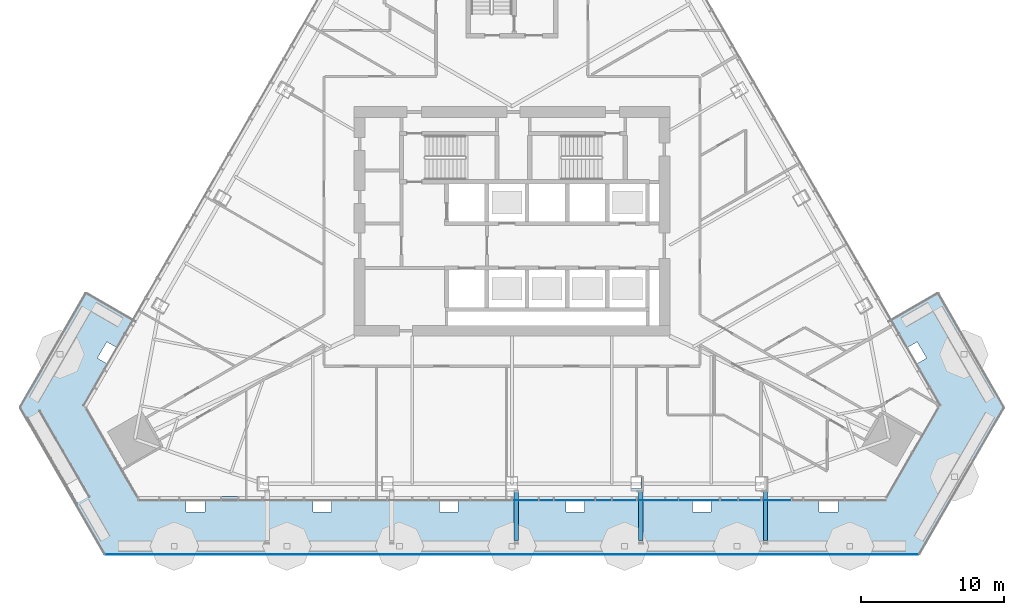
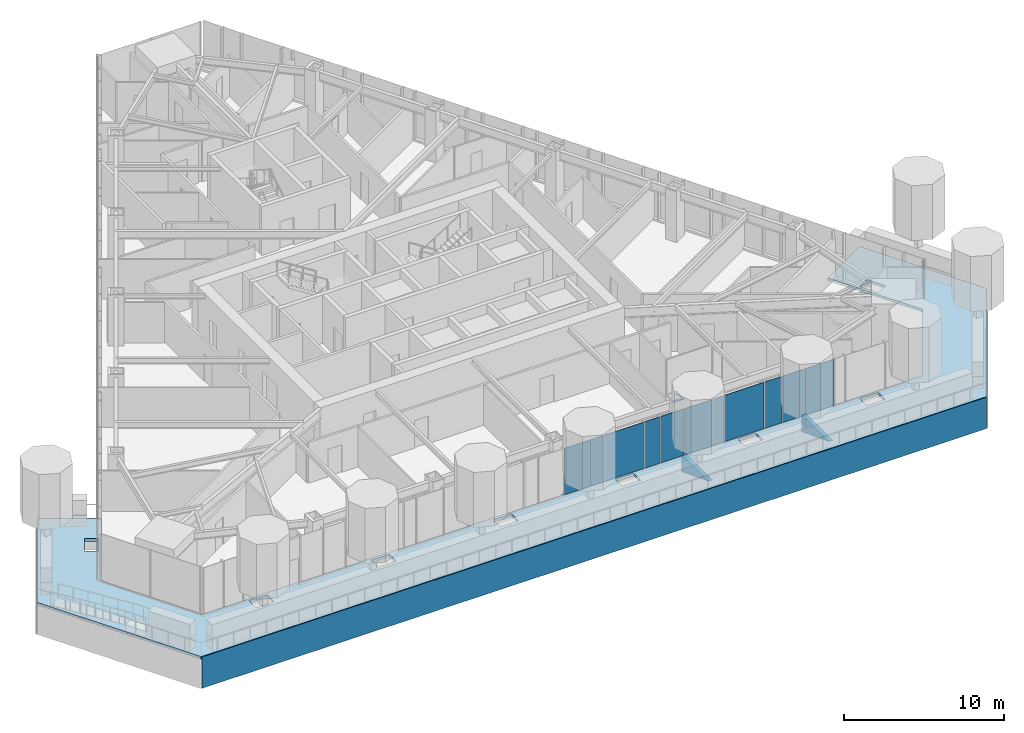
# One storey, part 10 of 24: 16 plates, 1 slab, 1 element without a shape of its own.
"""IFC4 building model written with IfcOpenShell, lengths in metres."""

import ifcopenshell
import ifcopenshell.guid

model = None  # the IFC model being written
_history = None  # IfcOwnerHistory: only IFC2X3 demands one
_inside = {}  # id of a spatial element -> (the spatial element, [elements in it])
_under = {}  # id of a project, library or spatial element -> (it, [spatial elements below it])
_declared = {}  # id of a project -> (the project, [libraries it declares])
_typed = {}  # id of a type object -> (the type object, [elements of that type])
_made_of = {}  # id of a material, layer set ... -> (it, [elements and type objects made of it])


def new_model(schema):
    """Start an empty IFC model of exactly this schema.

    Asked for "IFC4X3", IfcOpenShell would pick the latest addendum, in which some entities
    have other attributes; the version numbers below select the first issue.
    IFC2X3 requires an IfcOwnerHistory on every rooted entity: one is made here for all.
    """
    global model, _history
    if schema == "IFC4X3":
        model = ifcopenshell.file(schema_version=(4, 3, 0, 0))
    else:
        model = ifcopenshell.file(schema=schema)
    _inside.clear()
    _under.clear()
    _declared.clear()
    _typed.clear()
    _made_of.clear()
    _history = None
    if model.schema == "IFC2X3":
        org = make("IfcOrganization", Name="unknown")
        user = make(
            "IfcPersonAndOrganization",
            ThePerson=make("IfcPerson", FamilyName="unknown"),
            TheOrganization=org,
        )
        app = make(
            "IfcApplication",
            ApplicationDeveloper=org,
            Version="unknown",
            ApplicationFullName="unknown",
            ApplicationIdentifier="unknown",
        )
        _history = make(
            "IfcOwnerHistory",
            OwningUser=user,
            OwningApplication=app,
            ChangeAction="ADDED",
            CreationDate=0,
        )
    return model


def make(cls, **values):
    """One entity of the class cls with the attributes given. An attribute that is None is left unset."""
    return model.create_entity(
        cls, **{name: value for name, value in values.items() if value is not None}
    )


def rooted(cls, **values):
    """An entity with a GlobalId (a new one), such as an element, a storey or a relation."""
    return make(cls, GlobalId=ifcopenshell.guid.new(), OwnerHistory=_history, **values)


def si_unit(unit_type, name, prefix=None):
    """IfcSIUnit, for example si_unit("LENGTHUNIT", "METRE", prefix="MILLI")."""
    return make("IfcSIUnit", UnitType=unit_type, Prefix=prefix, Name=name)


def assignment(units):
    """IfcUnitAssignment: the units of a project."""
    return None if units is None else make("IfcUnitAssignment", Units=units)


def point(xyz):
    """IfcCartesianPoint."""
    return None if xyz is None else make("IfcCartesianPoint", Coordinates=xyz)


def direction(xyz):
    """IfcDirection."""
    return None if xyz is None else make("IfcDirection", DirectionRatios=xyz)


def frame(location, z_axis=None, x_axis=None):
    """IfcAxis2Placement3D, a coordinate frame: its origin and axes. An axis left out is left unset."""
    return make(
        "IfcAxis2Placement3D",
        Location=point(location),
        Axis=direction(z_axis),
        RefDirection=direction(x_axis),
    )


def origin():
    """The frame at (0, 0, 0) with its axes left unset."""
    return frame((0.0, 0.0, 0.0))


def place(relative_to, where):
    """IfcLocalPlacement: puts the frame where relative to a parent placement (None: the world)."""
    return make(
        "IfcLocalPlacement", PlacementRelTo=relative_to, RelativePlacement=where
    )


def context(
    kind, dimensions, precision=None, world=None, true_north=None, identifier=None
):
    """IfcGeometricRepresentationContext, for example the 3D "Model" context."""
    return make(
        "IfcGeometricRepresentationContext",
        ContextIdentifier=identifier,
        ContextType=kind,
        CoordinateSpaceDimension=dimensions,
        Precision=precision,
        WorldCoordinateSystem=world,
        TrueNorth=true_north,
    )


def subcontext(parent, identifier, kind, view, scale=None):
    """IfcGeometricRepresentationSubContext, for example "Body" below "Model"."""
    return make(
        "IfcGeometricRepresentationSubContext",
        ContextIdentifier=identifier,
        ContextType=kind,
        ParentContext=parent,
        TargetScale=scale,
        TargetView=view,
    )


def project(units=None, contexts=None):
    """IfcProject with its units and contexts."""
    return rooted(
        "IfcProject",
        Name="project",
        RepresentationContexts=contexts,
        UnitsInContext=assignment(units),
    )


def spatial(cls, under=None, at=None, **own):
    """A site, building, storey or space (cls), placed at a placement, below another one or the project."""
    s = rooted(cls, ObjectPlacement=at, **own)
    if under is not None:
        _under.setdefault(under.id(), (under, []))[1].append(s)
    return s


def polyline(points):
    """IfcPolyline through the points."""
    return make("IfcPolyline", Points=[point(p) for p in points])


def outline(outer, holes=None, kind="AREA"):
    """IfcArbitraryClosedProfileDef: a profile drawn as a closed curve; with holes, ...WithVoids."""
    if holes is None:
        return make("IfcArbitraryClosedProfileDef", ProfileType=kind, OuterCurve=outer)
    return make(
        "IfcArbitraryProfileDefWithVoids",
        ProfileType=kind,
        OuterCurve=outer,
        InnerCurves=holes,
    )


def extrude(swept, where, along, depth):
    """IfcExtrudedAreaSolid: the profile swept, set in the frame where, extruded along a direction by depth."""
    return make(
        "IfcExtrudedAreaSolid",
        SweptArea=swept,
        Position=where,
        ExtrudedDirection=direction(along),
        Depth=depth,
    )


def shape(context_of_items, identifier, shape_type, items):
    """IfcShapeRepresentation: the items that make up one representation, for example the "Body"."""
    return make(
        "IfcShapeRepresentation",
        ContextOfItems=context_of_items,
        RepresentationIdentifier=identifier,
        RepresentationType=shape_type,
        Items=items,
    )


def material(Name=None, Category=None):
    """IfcMaterial."""
    return make("IfcMaterial", Name=Name, Category=Category)


def layer(
    of_material, thickness, ventilated=None, Name=None, Category=None, Priority=None
):
    """IfcMaterialLayer: one layer of a wall or slab, of a material (None: an air gap)."""
    return make(
        "IfcMaterialLayer",
        Material=of_material,
        LayerThickness=thickness,
        IsVentilated=ventilated,
        Name=Name,
        Category=Category,
        Priority=Priority,
    )


def layer_set(layers, Name=None):
    """IfcMaterialLayerSet."""
    return make("IfcMaterialLayerSet", MaterialLayers=layers, LayerSetName=Name)


def made_of(thing, what):
    """Note that an element or type object is made of a material, layer set ...; save() writes the relation."""
    if what is not None:
        _made_of.setdefault(what.id(), (what, []))[1].append(thing)
    return thing


def type_object(cls, material=None, **own):
    """A type object (cls), such as IfcWallType, which elements share."""
    return made_of(rooted(cls, **own), material)


def element(
    cls,
    number,
    at=None,
    inside=None,
    cuts=None,
    type_object=None,
    material=None,
    context=None,
    identifier="Body",
    shape_type=None,
    held_by="IfcProductDefinitionShape",
    body=None,
    shapes=None,
    **own,
):
    """One element of the class cls, such as IfcWall. Its Tag is "e" and its number.

    at: its placement. inside: the storey or other place that contains it. cuts: it is an
    opening in that element (IfcRelVoidsElement). A single representation is given by context,
    identifier, shape_type and body (its items); several are given by shapes. held_by: the class
    of the entity that holds the representations. save() writes the other relations.
    """
    e = rooted(cls, Tag="e%d" % number, ObjectPlacement=at, **own)
    if body is not None:
        shapes = [shape(context, identifier, shape_type, body)]
    if shapes is not None:
        e.Representation = make(held_by, Representations=shapes)
    if inside is not None:
        _inside.setdefault(inside.id(), (inside, []))[1].append(e)
    if cuts is not None:
        rooted(
            "IfcRelVoidsElement", RelatingBuildingElement=cuts, RelatedOpeningElement=e
        )
    if type_object is not None:
        _typed.setdefault(type_object.id(), (type_object, []))[1].append(e)
    return made_of(e, material)


def aggregate(whole, parts):
    """IfcRelAggregates: a whole, such as a stair, and the parts it consists of."""
    return rooted("IfcRelAggregates", RelatingObject=whole, RelatedObjects=parts)


def save(model, path):
    """Write the relations noted so far, then the file.

    IfcRelAggregates (storeys below a building ...), IfcRelContainedInSpatialStructure (elements
    in a storey), IfcRelDefinesByType, IfcRelAssociatesMaterial and IfcRelDeclares: one each for
    every whole, place, type object, material and project.
    """
    for whole, parts in _under.values():
        aggregate(whole, parts)
    for where, things in _inside.values():
        rooted(
            "IfcRelContainedInSpatialStructure",
            RelatedElements=things,
            RelatingStructure=where,
        )
    for kind, things in _typed.values():
        rooted("IfcRelDefinesByType", RelatedObjects=things, RelatingType=kind)
    for what, things in _made_of.values():
        rooted("IfcRelAssociatesMaterial", RelatedObjects=things, RelatingMaterial=what)
    for by, libraries in _declared.values():
        rooted("IfcRelDeclares", RelatingContext=by, RelatedDefinitions=libraries)
    model.write(path)


model = new_model("IFC4")

# Units and contexts
model_context = context("Model", 3, precision=1e-05, world=origin(), true_north=direction((0.0, 1.0)))
body_context = subcontext(model_context, "Body", "Model", "MODEL_VIEW")
ifc_project = project(units=[si_unit("LENGTHUNIT", "METRE"), si_unit("AREAUNIT", "SQUARE_METRE"), si_unit("VOLUMEUNIT", "CUBIC_METRE"), si_unit("PLANEANGLEUNIT", "RADIAN"), si_unit("MASSUNIT", "GRAM", prefix="KILO")], contexts=[model_context])

# Site, building, storey
site_placement = place(None, origin())
site = spatial("IfcSite", under=ifc_project, at=site_placement, CompositionType="ELEMENT")
building_placement = place(site_placement, origin())
building = spatial("IfcBuilding", under=site, at=building_placement, Name="Firuza Gate Tower and Library", CompositionType="ELEMENT")
storey_placement = place(building_placement, frame((0.0, 0.0, 194.800048828125)))
storey = spatial("IfcBuildingStorey", under=building, at=storey_placement, Name="L45", CompositionType="ELEMENT", Elevation=194.800048828125)

# Plate
ifc_material_1 = material(Name="Steel S355", Category="steel")
ifc_layer_1 = layer(ifc_material_1, 0.030029296875)
ifc_layer_set_1 = layer_set([ifc_layer_1], Name="Column infill plate 30 Steel S355")
plate_type_1 = type_object("IfcPlateType", Name="Column infill plate 30 Steel S355", PredefinedType="SHEET", material=ifc_layer_set_1)
plate_1_placement = place(storey_placement, frame((0.0, 0.0, 3.89990234375)))
element("IfcPlate", 1, at=plate_1_placement, inside=storey, type_object=plate_type_1, Name="Infill plate L45:S4", PredefinedType="SHEET", context=body_context, shape_type="SweptSolid", body=[
    extrude(outline(polyline([(84.085693359375, 57.198974609375), (83.99365234375, 57.198974609375), (83.99365234375, 56.3583984375), (83.285888671875, 56.3583984375), (83.285888671875, 56.198974609375), (84.085693359375, 56.198974609375), (84.085693359375, 57.198974609375)])), origin(), (0.0, 0.0, 1.0), 0.030029296875),
])

# Curtain wall, plates
ifc_material_2 = material(Name="Aluminium 6063-T6", Category="aluminium")
ifc_layer_2 = layer(ifc_material_2, 0.14990234375)
ifc_layer_set_2 = layer_set([ifc_layer_2], Name="Unitised curtain wall, hotel")
curtain_wall_type = type_object("IfcCurtainWallType", Name="Unitised curtain wall, hotel", PredefinedType="NOTDEFINED", material=ifc_layer_set_2)
curtain_wall_placement = place(storey_placement, origin())
curtain_wall = element("IfcCurtainWall", 2, at=curtain_wall_placement, inside=storey, type_object=curtain_wall_type, Name="CW2 L45 S face", PredefinedType="NOTDEFINED")
ifc_material_3 = material(Name="Fritted glass", Category="glass")
ifc_layer_3 = layer(ifc_material_3, 0.030029296875)
ifc_layer_set_3 = layer_set([ifc_layer_3], Name="Fritted glass unit, hotel")
plate_type_2 = type_object("IfcPlateType", Name="Fritted glass unit, hotel", PredefinedType="CURTAIN_PANEL", material=ifc_layer_set_3)
plate_2_placement = place(storey_placement, frame((75.0400390625, 55.538818359375, 0.14990234375), z_axis=(0.0, -1.0, 0.0), x_axis=(1.0, 0.0, 0.0)))
plate_2 = element("IfcPlate", 3, at=plate_2_placement, type_object=plate_type_2, Name="Glass unit", PredefinedType="CURTAIN_PANEL", context=body_context, shape_type="SweptSolid", body=[
    extrude(outline(polyline([(0.0, 0.0), (1.7919921875, 0.0), (1.7919921875, 3.550048828125), (0.0, 3.550048828125), (0.0, 0.0)])), origin(), (0.0, 0.0, -1.0), 0.030029296875),
])
plate_3_placement = place(storey_placement, frame((81.991943359375, 55.538818359375, 0.14990234375), z_axis=(0.0, -1.0, 0.0), x_axis=(1.0, 0.0, 0.0)))
plate_3 = element("IfcPlate", 4, at=plate_3_placement, type_object=plate_type_2, Name="Glass unit", PredefinedType="CURTAIN_PANEL", context=body_context, shape_type="SweptSolid", body=[
    extrude(outline(polyline([(0.0, 0.0), (1.668212890625, 0.0), (1.668212890625, 3.550048828125), (0.0, 3.550048828125), (0.0, 0.0)])), origin(), (0.0, 0.0, -1.0), 0.030029296875),
])
plate_4_placement = place(storey_placement, frame((83.740234375, 55.538818359375, 0.14990234375), z_axis=(0.0, -1.0, 0.0), x_axis=(1.0, 0.0, 0.0)))
plate_4 = element("IfcPlate", 5, at=plate_4_placement, type_object=plate_type_2, Name="Glass unit", PredefinedType="CURTAIN_PANEL", context=body_context, shape_type="SweptSolid", body=[
    extrude(outline(polyline([(0.0, 0.0), (1.91552734375, 0.0), (1.91552734375, 3.550048828125), (0.0, 3.550048828125), (0.0, 0.0)])), origin(), (0.0, 0.0, -1.0), 0.030029296875),
])
plate_5_placement = place(storey_placement, frame((90.815673828125, 55.538818359375, 0.14990234375), z_axis=(0.0, -1.0, 0.0), x_axis=(1.0, 0.0, 0.0)))
plate_5 = element("IfcPlate", 6, at=plate_5_placement, type_object=plate_type_2, Name="Glass unit", PredefinedType="CURTAIN_PANEL", context=body_context, shape_type="SweptSolid", body=[
    extrude(outline(polyline([(0.0, 0.0), (1.544677734375, 0.0), (1.544677734375, 3.550048828125), (0.0, 3.550048828125), (0.0, 0.0)])), origin(), (0.0, 0.0, -1.0), 0.030029296875),
])
plate_6_placement = place(storey_placement, frame((92.4404296875, 55.538818359375, 0.14990234375), z_axis=(0.0, -1.0, 0.0), x_axis=(1.0, 0.0, 0.0)))
plate_6 = element("IfcPlate", 7, at=plate_6_placement, type_object=plate_type_2, Name="Glass unit", PredefinedType="CURTAIN_PANEL", context=body_context, shape_type="SweptSolid", body=[
    extrude(outline(polyline([(0.0, 0.0), (2.039306640625, 0.0), (2.039306640625, 3.550048828125), (0.0, 3.550048828125), (0.0, 0.0)])), origin(), (0.0, 0.0, -1.0), 0.030029296875),
])
ifc_material_4 = material(Name="Glazed ceramic tile")
ifc_layer_4 = layer(ifc_material_4, 0.030029296875)
ifc_layer_set_4 = layer_set([ifc_layer_4], Name="Opaque ceramic panel, hotel")
plate_type_3 = type_object("IfcPlateType", Name="Opaque ceramic panel, hotel", PredefinedType="CURTAIN_PANEL", material=ifc_layer_set_4)
plate_7_placement = place(storey_placement, frame((76.911865234375, 55.538818359375, 0.14990234375), z_axis=(0.0, -1.0, 0.0), x_axis=(1.0, 0.0, 0.0)))
plate_7 = element("IfcPlate", 8, at=plate_7_placement, type_object=plate_type_3, Name="Opaque ceramic panel", PredefinedType="CURTAIN_PANEL", context=body_context, shape_type="SweptSolid", body=[
    extrude(outline(polyline([(0.0, 0.0), (0.9482421875, 0.0), (0.9482421875, 3.550048828125), (0.0, 3.550048828125), (0.0, 0.0)])), origin(), (0.0, 0.0, -1.0), 0.030029296875),
])
plate_8_placement = place(storey_placement, frame((77.940185546875, 55.538818359375, 0.14990234375), z_axis=(0.0, -1.0, 0.0), x_axis=(1.0, 0.0, 0.0)))
plate_8 = element("IfcPlate", 9, at=plate_8_placement, type_object=plate_type_3, Name="Opaque ceramic panel", PredefinedType="CURTAIN_PANEL", context=body_context, shape_type="SweptSolid", body=[
    extrude(outline(polyline([(0.0, 0.0), (2.820068359375, 0.0), (2.820068359375, 3.550048828125), (0.0, 3.550048828125), (0.0, 0.0)])), origin(), (0.0, 0.0, -1.0), 0.030029296875),
])
plate_9_placement = place(storey_placement, frame((80.840087890625, 55.538818359375, 0.14990234375), z_axis=(0.0, -1.0, 0.0), x_axis=(1.0, 0.0, 0.0)))
plate_9 = element("IfcPlate", 10, at=plate_9_placement, type_object=plate_type_3, Name="Opaque ceramic panel", PredefinedType="CURTAIN_PANEL", context=body_context, shape_type="SweptSolid", body=[
    extrude(outline(polyline([(0.0, 0.0), (1.07177734375, 0.0), (1.07177734375, 3.550048828125), (0.0, 3.550048828125), (0.0, 0.0)])), origin(), (0.0, 0.0, -1.0), 0.030029296875),
])
plate_10_placement = place(storey_placement, frame((85.73583984375, 55.538818359375, 0.14990234375), z_axis=(0.0, -1.0, 0.0), x_axis=(1.0, 0.0, 0.0)))
plate_10 = element("IfcPlate", 11, at=plate_10_placement, type_object=plate_type_3, Name="Opaque ceramic panel", PredefinedType="CURTAIN_PANEL", context=body_context, shape_type="SweptSolid", body=[
    extrude(outline(polyline([(0.0, 0.0), (0.824462890625, 0.0), (0.824462890625, 3.550048828125), (0.0, 3.550048828125), (0.0, 0.0)])), origin(), (0.0, 0.0, -1.0), 0.030029296875),
])
plate_11_placement = place(storey_placement, frame((86.640380859375, 55.538818359375, 0.14990234375), z_axis=(0.0, -1.0, 0.0), x_axis=(1.0, 0.0, 0.0)))
plate_11 = element("IfcPlate", 12, at=plate_11_placement, type_object=plate_type_3, Name="Opaque ceramic panel", PredefinedType="CURTAIN_PANEL", context=body_context, shape_type="SweptSolid", body=[
    extrude(outline(polyline([(0.0, 0.0), (2.820068359375, 0.0), (2.820068359375, 3.550048828125), (0.0, 3.550048828125), (0.0, 0.0)])), origin(), (0.0, 0.0, -1.0), 0.030029296875),
])
plate_12_placement = place(storey_placement, frame((89.540283203125, 55.538818359375, 0.14990234375), z_axis=(0.0, -1.0, 0.0), x_axis=(1.0, 0.0, 0.0)))
plate_12 = element("IfcPlate", 13, at=plate_12_placement, type_object=plate_type_3, Name="Opaque ceramic panel", PredefinedType="CURTAIN_PANEL", context=body_context, shape_type="SweptSolid", body=[
    extrude(outline(polyline([(0.0, 0.0), (1.195556640625, 0.0), (1.195556640625, 3.550048828125), (0.0, 3.550048828125), (0.0, 0.0)])), origin(), (0.0, 0.0, -1.0), 0.030029296875),
])
aggregate(curtain_wall, [plate_2, plate_7, plate_8, plate_9, plate_3, plate_4, plate_10, plate_11, plate_12, plate_5, plate_6])

# Slab
ifc_material_5 = material(Name="Concrete C40/50", Category="concrete")
ifc_layer_5 = layer(ifc_material_5, 0.199951171875)
ifc_layer_set_5 = layer_set([ifc_layer_5], Name="Planter tray slab 200 C40/50")
slab_type = type_object("IfcSlabType", Name="Planter tray slab 200 C40/50", PredefinedType="FLOOR", material=ifc_layer_set_5)
slab_placement = place(storey_placement, frame((0.0, 0.0, -0.199951171875)))
element("IfcSlab", 14, at=slab_placement, inside=storey, type_object=slab_type, Name="Planter tray L45 band 5", PredefinedType="FLOOR", context=body_context, shape_type="SweptSolid", body=[
    extrude(outline(polyline([(48.770751953125, 67.971923828125), (45.306640625, 69.971923828125), (40.723876953125, 62.0341796875), (46.63330078125, 51.798828125), (103.36669921875, 51.798828125), (109.276123046875, 62.0341796875), (104.693359375, 69.971923828125), (101.229248046875, 67.971923828125), (104.657470703125, 62.0341796875), (101.057373046875, 55.798828125), (48.942626953125, 55.798828125), (45.342529296875, 62.0341796875), (48.770751953125, 67.971923828125)]), holes=[polyline([(70.044677734375, 55.584716796875), (71.131591796875, 55.584716796875), (71.24462890625, 55.584716796875), (71.24462890625, 54.734619140625), (71.131591796875, 54.734619140625), (70.044677734375, 54.734619140625), (69.931396484375, 54.734619140625), (69.931396484375, 55.584716796875), (70.044677734375, 55.584716796875)]), polyline([(53.48388671875, 55.584716796875), (53.596923828125, 55.584716796875), (53.596923828125, 54.734619140625), (53.48388671875, 54.734619140625), (52.39697265625, 54.734619140625), (52.28369140625, 54.734619140625), (52.28369140625, 55.584716796875), (52.39697265625, 55.584716796875), (53.48388671875, 55.584716796875)]), polyline([(61.220703125, 55.584716796875), (62.3076171875, 55.584716796875), (62.4208984375, 55.584716796875), (62.4208984375, 54.734619140625), (62.3076171875, 54.734619140625), (61.220703125, 54.734619140625), (61.107666015625, 54.734619140625), (61.107666015625, 55.584716796875), (61.220703125, 55.584716796875)]), polyline([(46.691650390625, 66.4990234375), (46.748291015625, 66.596923828125), (47.484375, 66.172119140625), (46.88427734375, 65.1328125), (46.88427734375, 65.1328125), (46.827880859375, 65.034912109375), (46.091552734375, 65.459716796875), (46.691650390625, 66.4990234375), (46.691650390625, 66.4990234375)]), polyline([(78.868408203125, 55.584716796875), (79.955322265625, 55.584716796875), (80.068603515625, 55.584716796875), (80.068603515625, 54.734619140625), (79.955322265625, 54.734619140625), (78.868408203125, 54.734619140625), (78.75537109375, 54.734619140625), (78.75537109375, 55.584716796875), (78.868408203125, 55.584716796875)]), polyline([(96.51611328125, 55.584716796875), (97.60302734375, 55.584716796875), (97.71630859375, 55.584716796875), (97.71630859375, 54.734619140625), (97.60302734375, 54.734619140625), (96.51611328125, 54.734619140625), (96.403076171875, 54.734619140625), (96.403076171875, 55.584716796875), (96.51611328125, 55.584716796875)]), polyline([(87.6923828125, 55.584716796875), (88.779296875, 55.584716796875), (88.892333984375, 55.584716796875), (88.892333984375, 54.734619140625), (88.779296875, 54.734619140625), (87.6923828125, 54.734619140625), (87.5791015625, 54.734619140625), (87.5791015625, 55.584716796875), (87.6923828125, 55.584716796875)]), polyline([(103.11572265625, 65.1328125), (103.11572265625, 65.1328125), (102.515625, 66.172119140625), (103.251708984375, 66.596923828125), (103.308349609375, 66.4990234375), (103.308349609375, 66.4990234375), (103.908447265625, 65.459716796875), (103.172119140625, 65.034912109375), (103.11572265625, 65.1328125)])]), origin(), (0.0, 0.0, 1.0), 0.199951171875),
])

# Plates
ifc_material_6 = material(Name="Steel S355", Category="steel")
ifc_layer_6 = layer(ifc_material_6, 0.300048828125)
ifc_layer_set_6 = layer_set([ifc_layer_6], Name="Tray bracket web 300 Steel S355")
plate_type_4 = type_object("IfcPlateType", Name="Tray bracket web 300 Steel S355", PredefinedType="SHEET", material=ifc_layer_set_6)
for number, where, z_axis, x_axis, name in (
    (15, (75.449951171875, 56.1640625, -0.199951171875), (1.0, 0.0, 0.0), (0.0, -1.0, 0.0), "Tray bracket web L45 col:L44:S3"),
    (16, (84.135986328125, 56.1640625, -0.199951171875), (1.0, 0.0, 0.0), (0.0, -1.0, 0.0), "Tray bracket web L45 col:L44:S4"),
    (17, (92.822021484375, 56.1640625, -0.199951171875), (1.0, 0.0, 0.0), (0.0, -1.0, 0.0), "Tray bracket web L45 col:L44:S5"),
):
    element("IfcPlate", number, at=place(storey_placement, frame(where, z_axis=z_axis, x_axis=x_axis)), inside=storey, type_object=plate_type_4, Name=name, PredefinedType="SHEET", context=body_context, shape_type="SweptSolid", body=[
        extrude(outline(polyline([(0.0, 0.0), (3.43017578125, 0.0), (0.0, 1.333984375), (0.0, 0.0)])), origin(), (0.0, 0.0, -1.0), 0.300048828125),
    ])
ifc_material_7 = material(Name="Aluminium 6063-T6", Category="aluminium")
ifc_layer_7 = layer(ifc_material_7, 0.050048828125)
ifc_layer_set_7 = layer_set([ifc_layer_7], Name="Tray fascia panel 50")
plate_type_5 = type_object("IfcPlateType", Name="Tray fascia panel 50", PredefinedType="SHEET", material=ifc_layer_set_7)
plate_13_placement = place(storey_placement, frame((46.6630859375, 51.7490234375, -2.400146484375), z_axis=(0.0, -1.0, 0.0), x_axis=(1.0, 0.0, 0.0)))
element("IfcPlate", 18, at=plate_13_placement, inside=storey, type_object=plate_type_5, Name="Tray fascia L45 3", PredefinedType="SHEET", context=body_context, shape_type="SweptSolid", body=[
    extrude(outline(polyline([(0.0, 0.0), (56.673828125, 0.0), (56.673828125, 2.400146484375), (0.0, 2.400146484375), (0.0, 0.0)])), origin(), (0.0, 0.0, -1.0), 0.050048828125),
])

save(model, "model.ifc")
